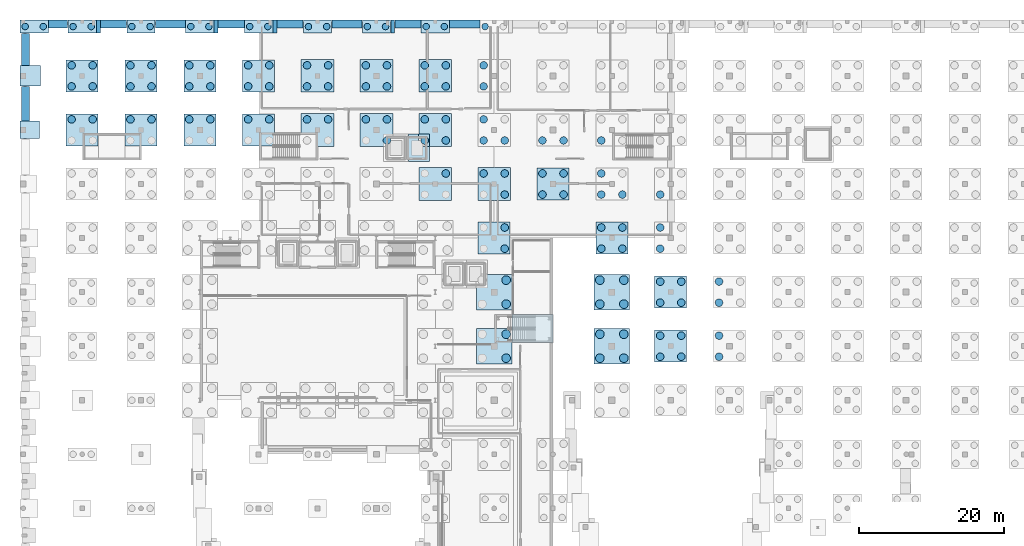
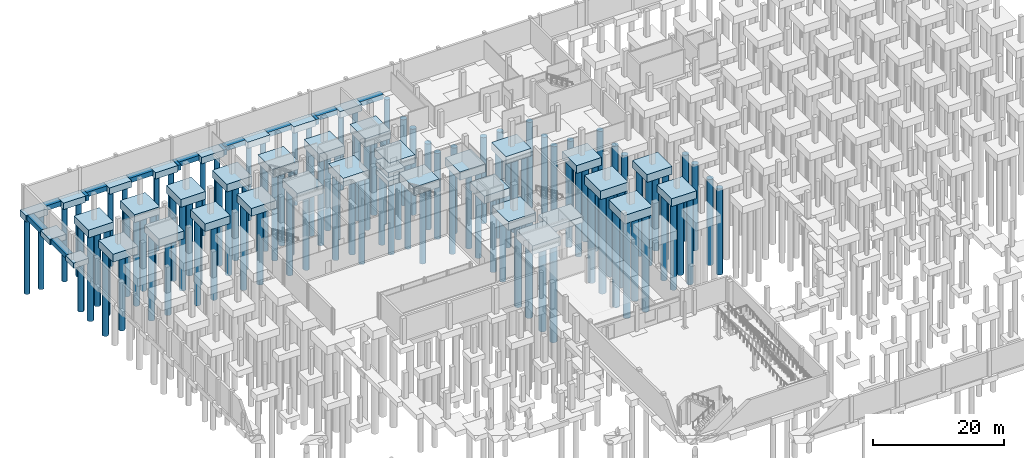
# One storey, part 6 of 37: 114 piles, 52 footings.
"""IFC4 building model written with IfcOpenShell, lengths in metres."""

from ifc_helpers import new_model, si_unit, direction, frame, origin, origin_2d, place, context, subcontext, project, spatial, polyline, rectangle, circle, outline, extrude, material, material_profile, profile_set, type_object, element, save


model = new_model("IFC4")

# Units and contexts
model_context = context("Model", 3, precision=1e-05, world=origin(), true_north=direction((0.0, 1.0)))
body_context = subcontext(model_context, "Body", "Model", "MODEL_VIEW")
ifc_project = project(units=[si_unit("LENGTHUNIT", "METRE"), si_unit("AREAUNIT", "SQUARE_METRE"), si_unit("VOLUMEUNIT", "CUBIC_METRE"), si_unit("PLANEANGLEUNIT", "RADIAN"), si_unit("MASSUNIT", "GRAM", prefix="KILO")], contexts=[model_context])

# Site, building, storey
site_placement = place(None, origin())
site = spatial("IfcSite", under=ifc_project, at=site_placement, CompositionType="ELEMENT")
building_placement = place(site_placement, origin())
building = spatial("IfcBuilding", under=site, at=building_placement, Name="Kaelora Sail Theatre", CompositionType="ELEMENT")
storey_placement = place(building_placement, frame((0.0, 0.0, -4.800048828125)))
storey = spatial("IfcBuildingStorey", under=building, at=storey_placement, Name="B1", CompositionType="ELEMENT", Elevation=-4.800048828125)

# Footings
ifc_material_1 = material(Name="Concrete C40/50", Category="concrete")
footing_type_1 = type_object("IfcFootingType", Name="STR-FTG-PC-2P", PredefinedType="PILE_CAP", material=ifc_material_1)
for number, where, z_axis, x_axis, name in (
    (1, (3.0, 112.449951171875, -1.19970703125), (0.0, 0.0, 1.0), (1.0, 0.0, 0.0), "Foundation 1/P"),
    (2, (9.60009765625, 112.449951171875, -1.19970703125), (0.0, 0.0, 1.0), (1.0, 0.0, 0.0), "Foundation 2/P"),
    (3, (17.699951171875, 112.449951171875, -1.19970703125), (0.0, 0.0, 1.0), (1.0, 0.0, 0.0), "Foundation 3/P"),
    (4, (25.800048828125, 112.449951171875, -1.19970703125), (0.0, 0.0, 1.0), (1.0, 0.0, 0.0), "Foundation 4/P"),
    (5, (33.89990234375, 112.449951171875, -1.19970703125), (0.0, 0.0, 1.0), (1.0, 0.0, 0.0), "Foundation 5/P"),
    (6, (42.0, 112.449951171875, -1.19970703125), (0.0, 0.0, 1.0), (1.0, 0.0, 0.0), "Foundation 6/P"),
    (7, (50.10009765625, 112.449951171875, -1.19970703125), (0.0, 0.0, 1.0), (1.0, 0.0, 0.0), "Foundation 7/P"),
    (8, (58.199951171875, 112.449951171875, -1.19970703125), (0.0, 0.0, 1.0), (1.0, 0.0, 0.0), "Foundation 8/P"),
):
    element("IfcFooting", number, at=place(storey_placement, frame(where, z_axis=z_axis, x_axis=x_axis)), inside=storey, type_object=footing_type_1, Name=name, PredefinedType="PILE_CAP", context=body_context, shape_type="SweptSolid", body=[
        extrude(rectangle(XDim=3.89990234375, YDim=1.800048828125, at=origin_2d()), origin(), (0.0, 0.0, 1.0), 1.199951171875),
    ])
ifc_material_2 = material(Name="Concrete C40/50", Category="concrete")
footing_type_2 = type_object("IfcFootingType", Name="STR-FTG-PC-4B", PredefinedType="PILE_CAP", material=ifc_material_2)
for number, where, z_axis, x_axis, name in (
    (9, (9.60009765625, 98.219970703125, -1.44970703125), (0.0, 0.0, 1.0), (1.0, 0.0, 0.0), "Foundation 2/N"),
    (10, (9.60009765625, 105.659912109375, -1.44970703125), (0.0, 0.0, 1.0), (1.0, 0.0, 0.0), "Foundation 2/O"),
    (11, (17.699951171875, 98.219970703125, -1.44970703125), (0.0, 0.0, 1.0), (1.0, 0.0, 0.0), "Foundation 3/N"),
    (12, (17.699951171875, 105.659912109375, -1.44970703125), (0.0, 0.0, 1.0), (1.0, 0.0, 0.0), "Foundation 3/O"),
    (13, (25.800048828125, 98.219970703125, -1.44970703125), (0.0, 0.0, 1.0), (1.0, 0.0, 0.0), "Foundation 4/N"),
    (14, (25.800048828125, 105.659912109375, -1.44970703125), (0.0, 0.0, 1.0), (1.0, 0.0, 0.0), "Foundation 4/O"),
    (15, (33.89990234375, 98.219970703125, -1.44970703125), (0.0, 0.0, 1.0), (1.0, 0.0, 0.0), "Foundation 5/N"),
    (16, (33.89990234375, 105.659912109375, -1.44970703125), (0.0, 0.0, 1.0), (1.0, 0.0, 0.0), "Foundation 5/O"),
    (17, (66.300048828125, 83.340087890625, -1.44970703125), (0.0, 0.0, 1.0), (1.0, 0.0, 0.0), "Foundation 9/L"),
    (18, (74.39990234375, 90.780029296875, -1.44970703125), (0.0, 0.0, 1.0), (1.0, 0.0, 0.0), "Foundation 10/M"),
    (19, (82.5, 83.340087890625, -1.44970703125), (0.0, 0.0, 1.0), (1.0, 0.0, 0.0), "Foundation 11/L"),
    (20, (90.60009765625, 68.4599609375, -1.44970703125), (0.0, 0.0, 1.0), (1.0, 0.0, 0.0), "Foundation 12/J"),
    (21, (90.60009765625, 75.89990234375, -1.44970703125), (0.0, 0.0, 1.0), (1.0, 0.0, 0.0), "Foundation 12/K"),
):
    element("IfcFooting", number, at=place(storey_placement, frame(where, z_axis=z_axis, x_axis=x_axis)), inside=storey, type_object=footing_type_2, Name=name, PredefinedType="PILE_CAP", context=body_context, shape_type="SweptSolid", body=[
        extrude(rectangle(XDim=4.39990234375, YDim=4.39990234375, at=origin_2d()), origin(), (0.0, 0.0, 1.0), 1.449951171875),
    ])
ifc_material_3 = material(Name="Concrete C40/50", Category="concrete")
footing_type_3 = type_object("IfcFootingType", Name="STR-FTG-PC-4C", PredefinedType="PILE_CAP", material=ifc_material_3)
for number, where, z_axis, x_axis, name in (
    (22, (42.0, 98.219970703125, -1.5498046875), (0.0, 0.0, 1.0), (1.0, 0.0, 0.0), "Foundation 6/N"),
    (23, (42.0, 105.659912109375, -1.5498046875), (0.0, 0.0, 1.0), (1.0, 0.0, 0.0), "Foundation 6/O"),
    (24, (50.10009765625, 98.219970703125, -1.5498046875), (0.0, 0.0, 1.0), (1.0, 0.0, 0.0), "Foundation 7/N"),
    (25, (50.10009765625, 105.659912109375, -1.5498046875), (0.0, 0.0, 1.0), (1.0, 0.0, 0.0), "Foundation 7/O"),
    (26, (58.199951171875, 90.780029296875, -1.5498046875), (0.0, 0.0, 1.0), (1.0, 0.0, 0.0), "Foundation 8/M"),
    (27, (58.199951171875, 98.219970703125, -1.5498046875), (0.0, 0.0, 1.0), (1.0, 0.0, 0.0), "Foundation 8/N"),
    (28, (58.199951171875, 105.659912109375, -1.5498046875), (0.0, 0.0, 1.0), (1.0, 0.0, 0.0), "Foundation 8/O"),
    (29, (66.300048828125, 90.780029296875, -1.5498046875), (0.0, 0.0, 1.0), (1.0, 0.0, 0.0), "Foundation 9/M"),
):
    element("IfcFooting", number, at=place(storey_placement, frame(where, z_axis=z_axis, x_axis=x_axis)), inside=storey, type_object=footing_type_3, Name=name, PredefinedType="PILE_CAP", context=body_context, shape_type="SweptSolid", body=[
        extrude(rectangle(XDim=4.5, YDim=4.5, at=origin_2d()), origin(), (0.0, 0.0, 1.0), 1.550048828125),
    ])
ifc_material_4 = material(Name="Concrete C40/50", Category="concrete")
footing_type_4 = type_object("IfcFootingType", Name="STR-FTG-PC-4D", PredefinedType="PILE_CAP", material=ifc_material_4)
for number, where, z_axis, x_axis, name in (
    (30, (66.300048828125, 68.4599609375, -1.60009765625), (0.0, 0.0, 1.0), (1.0, 0.0, 0.0), "Foundation 9/J"),
    (31, (66.300048828125, 75.89990234375, -1.60009765625), (0.0, 0.0, 1.0), (1.0, 0.0, 0.0), "Foundation 9/K"),
    (32, (82.5, 68.4599609375, -1.60009765625), (0.0, 0.0, 1.0), (1.0, 0.0, 0.0), "Foundation 11/J"),
    (33, (82.5, 75.89990234375, -1.60009765625), (0.0, 0.0, 1.0), (1.0, 0.0, 0.0), "Foundation 11/K"),
):
    element("IfcFooting", number, at=place(storey_placement, frame(where, z_axis=z_axis, x_axis=x_axis)), inside=storey, type_object=footing_type_4, Name=name, PredefinedType="PILE_CAP", context=body_context, shape_type="SweptSolid", body=[
        extrude(rectangle(XDim=4.89990234375, YDim=4.89990234375, at=origin_2d()), origin(), (0.0, 0.0, 1.0), 1.60009765625),
    ])
ifc_material_5 = material(Name="Concrete C40/50", Category="concrete")
footing_type_5 = type_object("IfcFootingType", Name="STR-FTG-PF-1C", PredefinedType="PAD_FOOTING", material=ifc_material_5)
footing_1_placement = place(storey_placement, frame((0.0, 0.0, -1.0)))
element("IfcFooting", 34, at=footing_1_placement, inside=storey, type_object=footing_type_5, Name="North Postmodern pilaster footing P01", PredefinedType="PAD_FOOTING", context=body_context, shape_type="SweptSolid", body=[
    extrude(outline(polyline([(11.580078125, 111.550048828125), (11.580078125, 113.340087890625), (12.10009765625, 113.340087890625), (12.10009765625, 111.550048828125), (11.580078125, 111.550048828125)])), origin(), (0.0, 0.0, 1.0), 1.0),
])
footing_2_placement = place(storey_placement, frame((0.0, 0.0, -1.0)))
element("IfcFooting", 35, at=footing_2_placement, inside=storey, type_object=footing_type_5, Name="North Postmodern pilaster footing P02", PredefinedType="PAD_FOOTING", context=body_context, shape_type="SweptSolid", body=[
    extrude(outline(polyline([(27.780029296875, 113.340087890625), (28.300048828125, 113.340087890625), (28.300048828125, 111.550048828125), (27.780029296875, 111.550048828125), (27.780029296875, 113.340087890625)])), origin(), (0.0, 0.0, 1.0), 1.0),
])
footing_3_placement = place(storey_placement, frame((0.0, 0.0, -1.0)))
element("IfcFooting", 36, at=footing_3_placement, inside=storey, type_object=footing_type_5, Name="North Postmodern pilaster footing P03", PredefinedType="PAD_FOOTING", context=body_context, shape_type="SweptSolid", body=[
    extrude(outline(polyline([(36.39990234375, 113.340087890625), (36.39990234375, 111.550048828125), (35.8798828125, 111.550048828125), (35.8798828125, 113.340087890625), (36.39990234375, 113.340087890625)])), origin(), (0.0, 0.0, 1.0), 1.0),
])
footing_4_placement = place(storey_placement, frame((0.0, 0.0, -1.0)))
element("IfcFooting", 37, at=footing_4_placement, inside=storey, type_object=footing_type_5, Name="North Postmodern pilaster footing P04", PredefinedType="PAD_FOOTING", context=body_context, shape_type="SweptSolid", body=[
    extrude(outline(polyline([(52.60009765625, 111.550048828125), (52.080078125, 111.550048828125), (52.080078125, 113.340087890625), (52.60009765625, 113.340087890625), (52.60009765625, 111.550048828125)])), origin(), (0.0, 0.0, 1.0), 1.0),
])
ifc_material_6 = material(Name="Concrete C40/50", Category="concrete")
footing_type_6 = type_object("IfcFootingType", Name="STR-FTG-PF-1E", PredefinedType="PAD_FOOTING", material=ifc_material_6)
footing_5_placement = place(storey_placement, frame((2.375, 98.219970703125, -1.0), z_axis=(0.0, 0.0, 1.0), x_axis=(1.0, 0.0, 0.0)))
element("IfcFooting", 38, at=footing_5_placement, inside=storey, type_object=footing_type_6, Name="Foundation 1/N", PredefinedType="PAD_FOOTING", context=body_context, shape_type="SweptSolid", body=[
    extrude(rectangle(XDim=2.64990234375, YDim=2.39990234375, at=origin_2d()), origin(), (0.0, 0.0, 1.0), 1.0),
])
ifc_material_7 = material(Name="Concrete C40/50", Category="concrete")
footing_type_7 = type_object("IfcFootingType", Name="STR-FTG-PF-1F", PredefinedType="PAD_FOOTING", material=ifc_material_7)
footing_6_placement = place(storey_placement, frame((2.449951171875, 105.659912109375, -1.0498046875), z_axis=(0.0, 0.0, 1.0), x_axis=(1.0, 0.0, 0.0)))
element("IfcFooting", 39, at=footing_6_placement, inside=storey, type_object=footing_type_7, Name="Foundation 1/O", PredefinedType="PAD_FOOTING", context=body_context, shape_type="SweptSolid", body=[
    extrude(rectangle(XDim=2.800048828125, YDim=2.800048828125, at=origin_2d()), origin(), (0.0, 0.0, 1.0), 1.050048828125),
])
footing_7_placement = place(storey_placement, frame((0.0, 0.0, -0.949951171875)))
element("IfcFooting", 40, at=footing_7_placement, inside=storey, type_object=footing_type_7, Name="Lift shaft base foundation PL-04", PredefinedType="PAD_FOOTING", context=body_context, shape_type="SweptSolid", body=[
    extrude(outline(polyline([(54.530029296875, 93.85009765625), (54.530029296875, 97.64990234375), (55.919921875, 97.64990234375), (55.919921875, 95.93994140625), (57.39990234375, 95.93994140625), (57.39990234375, 93.85009765625), (54.530029296875, 93.85009765625)])), origin(), (0.0, 0.0, 1.0), 0.949951171875),
])
ifc_material_8 = material(Name="Concrete C40/50", Category="concrete")
footing_type_8 = type_object("IfcFootingType", Name="STR-FTG-PF-CORE1", PredefinedType="PAD_FOOTING", material=ifc_material_8)
footing_8_placement = place(storey_placement, frame((0.0, 0.0, -1.099853515625)))
element("IfcFooting", 41, at=footing_8_placement, inside=storey, type_object=footing_type_8, Name="Stair core foundation pad ST-F1", PredefinedType="PAD_FOOTING", context=body_context, shape_type="SweptSolid", body=[
    extrude(outline(polyline([(68.780029296875, 68.949951171875), (74.419921875, 68.949951171875), (74.419921875, 72.800048828125), (68.780029296875, 72.800048828125), (68.780029296875, 68.949951171875)])), origin(), (0.0, 0.0, 1.0), 1.099853515625),
])
ifc_material_9 = material(Name="Concrete C40/50", Category="concrete")
footing_type_9 = type_object("IfcFootingType", Name="STR-FTG-PF-PIT2", PredefinedType="PAD_FOOTING", material=ifc_material_9)
footing_9_placement = place(storey_placement, frame((0.0, 0.0, -2.550048828125)))
element("IfcFooting", 42, at=footing_9_placement, inside=storey, type_object=footing_type_9, Name="Lift pit foundation pad PL-04", PredefinedType="PAD_FOOTING", context=body_context, shape_type="SweptSolid", body=[
    extrude(outline(polyline([(54.530029296875, 93.85009765625), (54.530029296875, 97.64990234375), (57.39990234375, 97.64990234375), (57.39990234375, 93.85009765625), (54.530029296875, 93.85009765625)])), origin(), (0.0, 0.0, 1.0), 0.9501953125),
])
ifc_material_10 = material(Name="Concrete C40/50", Category="concrete")
footing_type_10 = type_object("IfcFootingType", Name="STR-GB-SF-DRM", PredefinedType="STRIP_FOOTING", material=ifc_material_10)
footing_10_placement = place(storey_placement, frame((0.0, 0.0, -0.89990234375)))
element("IfcFooting", 43, at=footing_10_placement, inside=storey, type_object=footing_type_10, Name="Perimeter plinth strip footing SF-PL-W", PredefinedType="STRIP_FOOTING", context=body_context, shape_type="SweptSolid", body=[
    extrude(outline(polyline([(2.35009765625, 111.52001953125), (2.35009765625, 107.090087890625), (1.25, 107.090087890625), (1.25, 111.52001953125), (2.35009765625, 111.52001953125)])), origin(), (0.0, 0.0, 1.0), 0.89990234375),
])
footing_11_placement = place(storey_placement, frame((0.0, 0.0, -0.89990234375)))
element("IfcFooting", 44, at=footing_11_placement, inside=storey, type_object=footing_type_10, Name="Perimeter plinth strip footing SF-PL-W", PredefinedType="STRIP_FOOTING", context=body_context, shape_type="SweptSolid", body=[
    extrude(outline(polyline([(2.35009765625, 104.22998046875), (2.35009765625, 99.449951171875), (1.25, 99.449951171875), (1.25, 104.22998046875), (2.35009765625, 104.22998046875)])), origin(), (0.0, 0.0, 1.0), 0.89990234375),
])
footing_12_placement = place(storey_placement, frame((0.0, 0.0, -0.89990234375)))
element("IfcFooting", 45, at=footing_12_placement, inside=storey, type_object=footing_type_10, Name="Perimeter plinth strip footing SF-PL-N", PredefinedType="STRIP_FOOTING", context=body_context, shape_type="SweptSolid", body=[
    extrude(outline(polyline([(40.02001953125, 112.25), (36.429931640625, 112.25), (36.429931640625, 113.340087890625), (40.02001953125, 113.340087890625), (40.02001953125, 112.25)])), origin(), (0.0, 0.0, 1.0), 0.89990234375),
])
footing_13_placement = place(storey_placement, frame((0.0, 0.0, -0.89990234375)))
element("IfcFooting", 46, at=footing_13_placement, inside=storey, type_object=footing_type_10, Name="Perimeter plinth strip footing SF-PL-N", PredefinedType="STRIP_FOOTING", context=body_context, shape_type="SweptSolid", body=[
    extrude(outline(polyline([(52.6298828125, 113.340087890625), (56.219970703125, 113.340087890625), (56.219970703125, 112.25), (52.6298828125, 112.25), (52.6298828125, 113.340087890625)])), origin(), (0.0, 0.0, 1.0), 0.89990234375),
])
footing_14_placement = place(storey_placement, frame((0.0, 0.0, -0.89990234375)))
element("IfcFooting", 47, at=footing_14_placement, inside=storey, type_object=footing_type_10, Name="Perimeter plinth strip footing SF-PL-N", PredefinedType="STRIP_FOOTING", context=body_context, shape_type="SweptSolid", body=[
    extrude(outline(polyline([(60.179931640625, 113.340087890625), (64.320068359375, 113.340087890625), (64.320068359375, 112.25), (60.179931640625, 112.25), (60.179931640625, 113.340087890625)])), origin(), (0.0, 0.0, 1.0), 0.89990234375),
])
footing_15_placement = place(storey_placement, frame((0.0, 0.0, -0.89990234375)))
element("IfcFooting", 48, at=footing_15_placement, inside=storey, type_object=footing_type_10, Name="Perimeter plinth strip footing SF-PL-N", PredefinedType="STRIP_FOOTING", context=body_context, shape_type="SweptSolid", body=[
    extrude(outline(polyline([(43.97998046875, 113.340087890625), (48.1201171875, 113.340087890625), (48.1201171875, 112.25), (43.97998046875, 112.25), (43.97998046875, 113.340087890625)])), origin(), (0.0, 0.0, 1.0), 0.89990234375),
])
footing_16_placement = place(storey_placement, frame((0.0, 0.0, -0.89990234375)))
element("IfcFooting", 49, at=footing_16_placement, inside=storey, type_object=footing_type_10, Name="Perimeter plinth strip footing SF-PL-N", PredefinedType="STRIP_FOOTING", context=body_context, shape_type="SweptSolid", body=[
    extrude(outline(polyline([(31.919921875, 112.25), (28.330078125, 112.25), (28.330078125, 113.340087890625), (31.919921875, 113.340087890625), (31.919921875, 112.25)])), origin(), (0.0, 0.0, 1.0), 0.89990234375),
])
footing_17_placement = place(storey_placement, frame((0.0, 0.0, -0.89990234375)))
element("IfcFooting", 50, at=footing_17_placement, inside=storey, type_object=footing_type_10, Name="Perimeter plinth strip footing SF-PL-N", PredefinedType="STRIP_FOOTING", context=body_context, shape_type="SweptSolid", body=[
    extrude(outline(polyline([(19.679931640625, 112.25), (19.679931640625, 113.340087890625), (23.820068359375, 113.340087890625), (23.820068359375, 112.25), (19.679931640625, 112.25)])), origin(), (0.0, 0.0, 1.0), 0.89990234375),
])
footing_18_placement = place(storey_placement, frame((0.0, 0.0, -0.89990234375)))
element("IfcFooting", 51, at=footing_18_placement, inside=storey, type_object=footing_type_10, Name="Perimeter plinth strip footing SF-PL-N", PredefinedType="STRIP_FOOTING", context=body_context, shape_type="SweptSolid", body=[
    extrude(outline(polyline([(12.1298828125, 112.25), (12.1298828125, 113.340087890625), (15.719970703125, 113.340087890625), (15.719970703125, 112.25), (12.1298828125, 112.25)])), origin(), (0.0, 0.0, 1.0), 0.89990234375),
])
footing_19_placement = place(storey_placement, frame((0.0, 0.0, -0.89990234375)))
element("IfcFooting", 52, at=footing_19_placement, inside=storey, type_object=footing_type_10, Name="Perimeter plinth strip footing SF-PL-N", PredefinedType="STRIP_FOOTING", context=body_context, shape_type="SweptSolid", body=[
    extrude(outline(polyline([(4.97998046875, 112.25), (4.97998046875, 113.340087890625), (7.6201171875, 113.340087890625), (7.6201171875, 112.25), (4.97998046875, 112.25)])), origin(), (0.0, 0.0, 1.0), 0.89990234375),
])

# Piles
ifc_material_11 = material(Name="Concrete C40/50", Category="concrete")
ifc_material_profile_1 = material_profile(ifc_material_11, circle(Radius=0.52490234375, at=origin_2d()), Name="PILE D1050")
ifc_profile_set_1 = profile_set([ifc_material_profile_1], Name="Concrete C40/50")
pile_type_1 = type_object("IfcPileType", Name="STR-PILE-PL-1050", PredefinedType="BORED", material=ifc_profile_set_1)
for number, where, z_axis, x_axis, name in (
    (53, (8.14990234375, 99.669921875, -1.349853515625), (0.0, 0.0, -1.0), (1.0, 0.0, 0.0), "Bored pile 2/N P3"),
    (54, (11.050048828125, 99.669921875, -1.349853515625), (0.0, 0.0, -1.0), (1.0, 0.0, 0.0), "Bored pile 2/N P4"),
    (55, (8.14990234375, 104.2099609375, -1.349853515625), (0.0, 0.0, -1.0), (1.0, 0.0, 0.0), "Bored pile 2/O P1"),
    (56, (11.050048828125, 104.2099609375, -1.349853515625), (0.0, 0.0, -1.0), (1.0, 0.0, 0.0), "Bored pile 2/O P2"),
    (57, (8.14990234375, 107.110107421875, -1.349853515625), (0.0, 0.0, -1.0), (1.0, 0.0, 0.0), "Bored pile 2/O P3"),
    (58, (11.050048828125, 107.110107421875, -1.349853515625), (0.0, 0.0, -1.0), (1.0, 0.0, 0.0), "Bored pile 2/O P4"),
    (59, (16.25, 99.669921875, -1.349853515625), (0.0, 0.0, -1.0), (1.0, 0.0, 0.0), "Bored pile 3/N P3"),
    (60, (19.14990234375, 99.669921875, -1.349853515625), (0.0, 0.0, -1.0), (1.0, 0.0, 0.0), "Bored pile 3/N P4"),
    (61, (16.25, 104.2099609375, -1.349853515625), (0.0, 0.0, -1.0), (1.0, 0.0, 0.0), "Bored pile 3/O P1"),
    (62, (19.14990234375, 104.2099609375, -1.349853515625), (0.0, 0.0, -1.0), (1.0, 0.0, 0.0), "Bored pile 3/O P2"),
    (63, (16.25, 107.110107421875, -1.349853515625), (0.0, 0.0, -1.0), (1.0, 0.0, 0.0), "Bored pile 3/O P3"),
    (64, (19.14990234375, 107.110107421875, -1.349853515625), (0.0, 0.0, -1.0), (1.0, 0.0, 0.0), "Bored pile 3/O P4"),
    (65, (24.35009765625, 99.669921875, -1.349853515625), (0.0, 0.0, -1.0), (1.0, 0.0, 0.0), "Bored pile 4/N P3"),
    (66, (27.25, 99.669921875, -1.349853515625), (0.0, 0.0, -1.0), (1.0, 0.0, 0.0), "Bored pile 4/N P4"),
    (67, (24.35009765625, 104.2099609375, -1.349853515625), (0.0, 0.0, -1.0), (1.0, 0.0, 0.0), "Bored pile 4/O P1"),
    (68, (27.25, 104.2099609375, -1.349853515625), (0.0, 0.0, -1.0), (1.0, 0.0, 0.0), "Bored pile 4/O P2"),
    (69, (24.35009765625, 107.110107421875, -1.349853515625), (0.0, 0.0, -1.0), (1.0, 0.0, 0.0), "Bored pile 4/O P3"),
    (70, (27.25, 107.110107421875, -1.349853515625), (0.0, 0.0, -1.0), (1.0, 0.0, 0.0), "Bored pile 4/O P4"),
    (71, (32.449951171875, 99.669921875, -1.349853515625), (0.0, 0.0, -1.0), (1.0, 0.0, 0.0), "Bored pile 5/N P3"),
    (72, (35.35009765625, 99.669921875, -1.349853515625), (0.0, 0.0, -1.0), (1.0, 0.0, 0.0), "Bored pile 5/N P4"),
    (73, (32.449951171875, 104.2099609375, -1.349853515625), (0.0, 0.0, -1.0), (1.0, 0.0, 0.0), "Bored pile 5/O P1"),
    (74, (35.35009765625, 104.2099609375, -1.349853515625), (0.0, 0.0, -1.0), (1.0, 0.0, 0.0), "Bored pile 5/O P2"),
    (75, (32.449951171875, 107.110107421875, -1.349853515625), (0.0, 0.0, -1.0), (1.0, 0.0, 0.0), "Bored pile 5/O P3"),
    (76, (35.35009765625, 107.110107421875, -1.349853515625), (0.0, 0.0, -1.0), (1.0, 0.0, 0.0), "Bored pile 5/O P4"),
    (77, (40.550048828125, 99.669921875, -1.449951171875), (0.0, 0.0, -1.0), (1.0, 0.0, 0.0), "Bored pile 6/N P3"),
    (78, (43.449951171875, 99.669921875, -1.449951171875), (0.0, 0.0, -1.0), (1.0, 0.0, 0.0), "Bored pile 6/N P4"),
    (79, (40.550048828125, 104.2099609375, -1.449951171875), (0.0, 0.0, -1.0), (1.0, 0.0, 0.0), "Bored pile 6/O P1"),
    (80, (43.449951171875, 104.2099609375, -1.449951171875), (0.0, 0.0, -1.0), (1.0, 0.0, 0.0), "Bored pile 6/O P2"),
    (81, (40.550048828125, 107.110107421875, -1.449951171875), (0.0, 0.0, -1.0), (1.0, 0.0, 0.0), "Bored pile 6/O P3"),
    (82, (43.449951171875, 107.110107421875, -1.449951171875), (0.0, 0.0, -1.0), (1.0, 0.0, 0.0), "Bored pile 6/O P4"),
    (83, (51.550048828125, 96.77001953125, -1.449951171875), (0.0, 0.0, -1.0), (1.0, 0.0, 0.0), "Bored pile 7/N P2"),
    (84, (48.64990234375, 99.669921875, -1.449951171875), (0.0, 0.0, -1.0), (1.0, 0.0, 0.0), "Bored pile 7/N P3"),
    (85, (51.550048828125, 99.669921875, -1.449951171875), (0.0, 0.0, -1.0), (1.0, 0.0, 0.0), "Bored pile 7/N P4"),
    (86, (48.64990234375, 104.2099609375, -1.449951171875), (0.0, 0.0, -1.0), (1.0, 0.0, 0.0), "Bored pile 7/O P1"),
    (87, (51.550048828125, 104.2099609375, -1.449951171875), (0.0, 0.0, -1.0), (1.0, 0.0, 0.0), "Bored pile 7/O P2"),
    (88, (48.64990234375, 107.110107421875, -1.449951171875), (0.0, 0.0, -1.0), (1.0, 0.0, 0.0), "Bored pile 7/O P3"),
    (89, (51.550048828125, 107.110107421875, -1.449951171875), (0.0, 0.0, -1.0), (1.0, 0.0, 0.0), "Bored pile 7/O P4"),
    (90, (59.64990234375, 92.22998046875, -1.449951171875), (0.0, 0.0, -1.0), (1.0, 0.0, 0.0), "Bored pile 8/M P4"),
    (91, (56.75, 96.77001953125, -1.449951171875), (0.0, 0.0, -1.0), (1.0, 0.0, 0.0), "Bored pile 8/N P1"),
    (92, (59.64990234375, 96.77001953125, -1.449951171875), (0.0, 0.0, -1.0), (1.0, 0.0, 0.0), "Bored pile 8/N P2"),
    (93, (56.75, 99.669921875, -1.449951171875), (0.0, 0.0, -1.0), (1.0, 0.0, 0.0), "Bored pile 8/N P3"),
    (94, (59.64990234375, 99.669921875, -1.449951171875), (0.0, 0.0, -1.0), (1.0, 0.0, 0.0), "Bored pile 8/N P4"),
    (95, (56.75, 104.2099609375, -1.449951171875), (0.0, 0.0, -1.0), (1.0, 0.0, 0.0), "Bored pile 8/O P1"),
    (96, (59.64990234375, 104.2099609375, -1.449951171875), (0.0, 0.0, -1.0), (1.0, 0.0, 0.0), "Bored pile 8/O P2"),
    (97, (56.75, 107.110107421875, -1.449951171875), (0.0, 0.0, -1.0), (1.0, 0.0, 0.0), "Bored pile 8/O P3"),
    (98, (59.64990234375, 107.110107421875, -1.449951171875), (0.0, 0.0, -1.0), (1.0, 0.0, 0.0), "Bored pile 8/O P4"),
    (99, (67.75, 81.889892578125, -1.349853515625), (0.0, 0.0, -1.0), (1.0, 0.0, 0.0), "Bored pile 9/L P2"),
    (100, (67.75, 84.7900390625, -1.349853515625), (0.0, 0.0, -1.0), (1.0, 0.0, 0.0), "Bored pile 9/L P4"),
    (101, (67.75, 89.330078125, -1.449951171875), (0.0, 0.0, -1.0), (1.0, 0.0, 0.0), "Bored pile 9/M P2"),
    (102, (64.85009765625, 92.22998046875, -1.449951171875), (0.0, 0.0, -1.0), (1.0, 0.0, 0.0), "Bored pile 9/M P3"),
    (103, (67.75, 92.22998046875, -1.449951171875), (0.0, 0.0, -1.0), (1.0, 0.0, 0.0), "Bored pile 9/M P4"),
    (104, (64.85009765625, 96.77001953125, -1.449951171875), (0.0, 0.0, -1.0), (1.0, 0.0, 0.0), "Bored pile 9/N P1"),
    (105, (67.75, 96.77001953125, -1.449951171875), (0.0, 0.0, -1.0), (1.0, 0.0, 0.0), "Bored pile 9/N P2"),
    (106, (64.85009765625, 99.669921875, -1.449951171875), (0.0, 0.0, -1.0), (1.0, 0.0, 0.0), "Bored pile 9/N P3"),
    (107, (64.85009765625, 104.2099609375, -1.449951171875), (0.0, 0.0, -1.0), (1.0, 0.0, 0.0), "Bored pile 9/O P1"),
    (108, (64.85009765625, 107.110107421875, -1.449951171875), (0.0, 0.0, -1.0), (1.0, 0.0, 0.0), "Bored pile 9/O P3"),
    (109, (72.949951171875, 89.330078125, -1.349853515625), (0.0, 0.0, -1.0), (1.0, 0.0, 0.0), "Bored pile 10/M P1"),
    (110, (75.85009765625, 89.330078125, -1.349853515625), (0.0, 0.0, -1.0), (1.0, 0.0, 0.0), "Bored pile 10/M P2"),
    (111, (72.949951171875, 92.22998046875, -1.349853515625), (0.0, 0.0, -1.0), (1.0, 0.0, 0.0), "Bored pile 10/M P3"),
    (112, (75.85009765625, 92.22998046875, -1.349853515625), (0.0, 0.0, -1.0), (1.0, 0.0, 0.0), "Bored pile 10/M P4"),
    (113, (72.949951171875, 96.77001953125, -1.349853515625), (0.0, 0.0, -1.0), (1.0, 0.0, 0.0), "Bored pile 10/N P1"),
    (114, (75.85009765625, 96.77001953125, -1.349853515625), (0.0, 0.0, -1.0), (1.0, 0.0, 0.0), "Bored pile 10/N P2"),
    (115, (81.050048828125, 81.889892578125, -1.349853515625), (0.0, 0.0, -1.0), (1.0, 0.0, 0.0), "Bored pile 11/L P1"),
    (116, (83.949951171875, 81.889892578125, -1.349853515625), (0.0, 0.0, -1.0), (1.0, 0.0, 0.0), "Bored pile 11/L P2"),
    (117, (81.050048828125, 84.7900390625, -1.349853515625), (0.0, 0.0, -1.0), (1.0, 0.0, 0.0), "Bored pile 11/L P3"),
    (118, (83.949951171875, 84.7900390625, -1.349853515625), (0.0, 0.0, -1.0), (1.0, 0.0, 0.0), "Bored pile 11/L P4"),
    (119, (81.050048828125, 89.330078125, -1.349853515625), (0.0, 0.0, -1.0), (1.0, 0.0, 0.0), "Bored pile 11/M P1"),
    (120, (83.949951171875, 89.330078125, -1.349853515625), (0.0, 0.0, -1.0), (1.0, 0.0, 0.0), "Bored pile 11/M P2"),
    (121, (81.050048828125, 92.22998046875, -1.349853515625), (0.0, 0.0, -1.0), (1.0, 0.0, 0.0), "Bored pile 11/M P3"),
    (122, (81.050048828125, 96.77001953125, -1.349853515625), (0.0, 0.0, -1.0), (1.0, 0.0, 0.0), "Bored pile 11/N P1"),
    (123, (89.14990234375, 67.010009765625, -1.349853515625), (0.0, 0.0, -1.0), (1.0, 0.0, 0.0), "Bored pile 12/J P1"),
    (124, (92.050048828125, 67.010009765625, -1.349853515625), (0.0, 0.0, -1.0), (1.0, 0.0, 0.0), "Bored pile 12/J P2"),
    (125, (89.14990234375, 69.909912109375, -1.349853515625), (0.0, 0.0, -1.0), (1.0, 0.0, 0.0), "Bored pile 12/J P3"),
    (126, (92.050048828125, 69.909912109375, -1.349853515625), (0.0, 0.0, -1.0), (1.0, 0.0, 0.0), "Bored pile 12/J P4"),
    (127, (89.14990234375, 74.449951171875, -1.349853515625), (0.0, 0.0, -1.0), (1.0, 0.0, 0.0), "Bored pile 12/K P1"),
    (128, (92.050048828125, 74.449951171875, -1.349853515625), (0.0, 0.0, -1.0), (1.0, 0.0, 0.0), "Bored pile 12/K P2"),
    (129, (89.14990234375, 77.35009765625, -1.349853515625), (0.0, 0.0, -1.0), (1.0, 0.0, 0.0), "Bored pile 12/K P3"),
    (130, (92.050048828125, 77.35009765625, -1.349853515625), (0.0, 0.0, -1.0), (1.0, 0.0, 0.0), "Bored pile 12/K P4"),
    (131, (89.14990234375, 81.889892578125, -1.349853515625), (0.0, 0.0, -1.0), (1.0, 0.0, 0.0), "Bored pile 12/L P1"),
    (132, (89.14990234375, 84.7900390625, -1.349853515625), (0.0, 0.0, -1.0), (1.0, 0.0, 0.0), "Bored pile 12/L P3"),
    (133, (89.14990234375, 89.330078125, -1.349853515625), (0.0, 0.0, -1.0), (1.0, 0.0, 0.0), "Bored pile 12/M P1"),
    (134, (97.25, 67.010009765625, -1.349853515625), (0.0, 0.0, -1.0), (1.0, 0.0, 0.0), "Bored pile 13/J P1"),
    (135, (97.25, 69.909912109375, -1.349853515625), (0.0, 0.0, -1.0), (1.0, 0.0, 0.0), "Bored pile 13/J P3"),
    (136, (97.25, 74.449951171875, -1.349853515625), (0.0, 0.0, -1.0), (1.0, 0.0, 0.0), "Bored pile 13/K P1"),
    (137, (97.25, 77.35009765625, -1.349853515625), (0.0, 0.0, -1.0), (1.0, 0.0, 0.0), "Bored pile 13/K P3"),
):
    element("IfcPile", number, at=place(storey_placement, frame(where, z_axis=z_axis, x_axis=x_axis)), inside=storey, type_object=pile_type_1, Name=name, PredefinedType="BORED", context=body_context, shape_type="SweptSolid", body=[
        extrude(circle(Radius=0.52490234375, at=origin_2d()), origin(), (0.0, 0.0, 1.0), 16.0),
    ])
ifc_material_12 = material(Name="Concrete C40/50", Category="concrete")
ifc_material_profile_2 = material_profile(ifc_material_12, circle(Radius=0.60009765625, at=origin_2d()), Name="PILE D1200")
ifc_profile_set_2 = profile_set([ifc_material_profile_2], Name="Concrete C40/50")
pile_type_2 = type_object("IfcPileType", Name="STR-PILE-PL-1200", PredefinedType="BORED", material=ifc_profile_set_2)
for number, where, z_axis, x_axis, name in (
    (138, (67.949951171875, 66.81005859375, -1.5), (0.0, 0.0, -1.0), (1.0, 0.0, 0.0), "Bored pile 9/J P2"),
    (139, (67.949951171875, 70.110107421875, -1.5), (0.0, 0.0, -1.0), (1.0, 0.0, 0.0), "Bored pile 9/J P4"),
    (140, (67.949951171875, 74.25, -1.5), (0.0, 0.0, -1.0), (1.0, 0.0, 0.0), "Bored pile 9/K P2"),
    (141, (67.949951171875, 77.550048828125, -1.5), (0.0, 0.0, -1.0), (1.0, 0.0, 0.0), "Bored pile 9/K P4"),
    (142, (80.85009765625, 66.81005859375, -1.5), (0.0, 0.0, -1.0), (1.0, 0.0, 0.0), "Bored pile 11/J P1"),
    (143, (84.14990234375, 66.81005859375, -1.5), (0.0, 0.0, -1.0), (1.0, 0.0, 0.0), "Bored pile 11/J P2"),
    (144, (80.85009765625, 70.110107421875, -1.5), (0.0, 0.0, -1.0), (1.0, 0.0, 0.0), "Bored pile 11/J P3"),
    (145, (84.14990234375, 70.110107421875, -1.5), (0.0, 0.0, -1.0), (1.0, 0.0, 0.0), "Bored pile 11/J P4"),
    (146, (80.85009765625, 74.25, -1.5), (0.0, 0.0, -1.0), (1.0, 0.0, 0.0), "Bored pile 11/K P1"),
    (147, (84.14990234375, 74.25, -1.5), (0.0, 0.0, -1.0), (1.0, 0.0, 0.0), "Bored pile 11/K P2"),
    (148, (80.85009765625, 77.550048828125, -1.5), (0.0, 0.0, -1.0), (1.0, 0.0, 0.0), "Bored pile 11/K P3"),
    (149, (84.14990234375, 77.550048828125, -1.5), (0.0, 0.0, -1.0), (1.0, 0.0, 0.0), "Bored pile 11/K P4"),
):
    element("IfcPile", number, at=place(storey_placement, frame(where, z_axis=z_axis, x_axis=x_axis)), inside=storey, type_object=pile_type_2, Name=name, PredefinedType="BORED", context=body_context, shape_type="SweptSolid", body=[
        extrude(circle(Radius=0.60009765625, at=origin_2d()), origin(), (0.0, 0.0, 1.0), 18.0),
    ])
ifc_material_13 = material(Name="Concrete C40/50", Category="concrete")
ifc_material_profile_3 = material_profile(ifc_material_13, circle(Radius=0.449951171875, at=origin_2d()), Name="PILE D900")
ifc_profile_set_3 = profile_set([ifc_material_profile_3], Name="Concrete C40/50")
pile_type_3 = type_object("IfcPileType", Name="STR-PILE-PL-900", PredefinedType="BORED", material=ifc_profile_set_3)
for number, where, z_axis, x_axis, name in (
    (150, (1.75, 112.449951171875, -1.099853515625), (0.0, 0.0, -1.0), (1.0, 0.0, 0.0), "Bored pile 1/P P1"),
    (151, (4.25, 112.449951171875, -1.099853515625), (0.0, 0.0, -1.0), (1.0, 0.0, 0.0), "Bored pile 1/P P2"),
    (152, (8.35009765625, 112.449951171875, -1.099853515625), (0.0, 0.0, -1.0), (1.0, 0.0, 0.0), "Bored pile 2/P P1"),
    (153, (10.85009765625, 112.449951171875, -1.099853515625), (0.0, 0.0, -1.0), (1.0, 0.0, 0.0), "Bored pile 2/P P2"),
    (154, (16.449951171875, 112.449951171875, -1.099853515625), (0.0, 0.0, -1.0), (1.0, 0.0, 0.0), "Bored pile 3/P P1"),
    (155, (18.949951171875, 112.449951171875, -1.099853515625), (0.0, 0.0, -1.0), (1.0, 0.0, 0.0), "Bored pile 3/P P2"),
    (156, (24.550048828125, 112.449951171875, -1.099853515625), (0.0, 0.0, -1.0), (1.0, 0.0, 0.0), "Bored pile 4/P P1"),
    (157, (27.050048828125, 112.449951171875, -1.099853515625), (0.0, 0.0, -1.0), (1.0, 0.0, 0.0), "Bored pile 4/P P2"),
    (158, (32.64990234375, 112.449951171875, -1.099853515625), (0.0, 0.0, -1.0), (1.0, 0.0, 0.0), "Bored pile 5/P P1"),
    (159, (35.14990234375, 112.449951171875, -1.099853515625), (0.0, 0.0, -1.0), (1.0, 0.0, 0.0), "Bored pile 5/P P2"),
    (160, (40.75, 112.449951171875, -1.099853515625), (0.0, 0.0, -1.0), (1.0, 0.0, 0.0), "Bored pile 6/P P1"),
    (161, (43.25, 112.449951171875, -1.099853515625), (0.0, 0.0, -1.0), (1.0, 0.0, 0.0), "Bored pile 6/P P2"),
    (162, (48.85009765625, 112.449951171875, -1.099853515625), (0.0, 0.0, -1.0), (1.0, 0.0, 0.0), "Bored pile 7/P P1"),
    (163, (51.35009765625, 112.449951171875, -1.099853515625), (0.0, 0.0, -1.0), (1.0, 0.0, 0.0), "Bored pile 7/P P2"),
    (164, (56.949951171875, 112.449951171875, -1.099853515625), (0.0, 0.0, -1.0), (1.0, 0.0, 0.0), "Bored pile 8/P P1"),
    (165, (59.449951171875, 112.449951171875, -1.099853515625), (0.0, 0.0, -1.0), (1.0, 0.0, 0.0), "Bored pile 8/P P2"),
    (166, (65.050048828125, 112.449951171875, -1.099853515625), (0.0, 0.0, -1.0), (1.0, 0.0, 0.0), "Bored pile 9/P P1"),
):
    element("IfcPile", number, at=place(storey_placement, frame(where, z_axis=z_axis, x_axis=x_axis)), inside=storey, type_object=pile_type_3, Name=name, PredefinedType="BORED", context=body_context, shape_type="SweptSolid", body=[
        extrude(circle(Radius=0.449951171875, at=origin_2d()), origin(), (0.0, 0.0, 1.0), 14.0),
    ])

save(model, "model.ifc")
